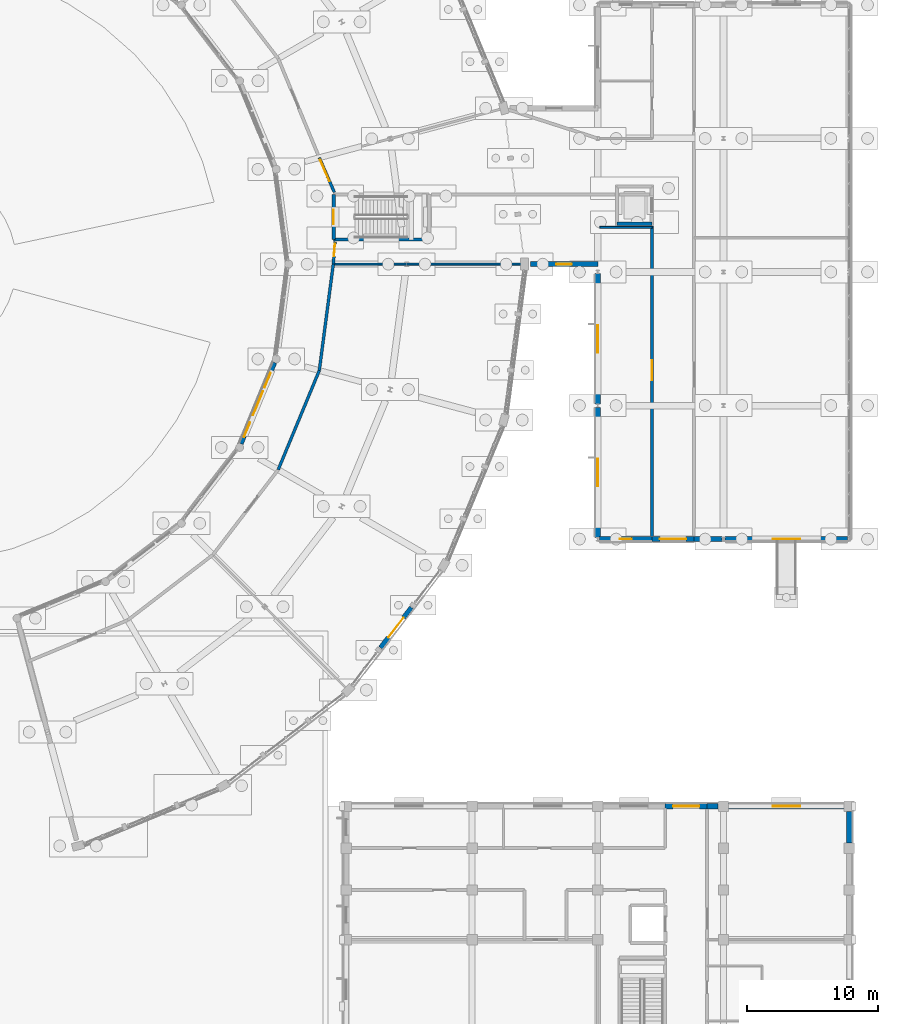
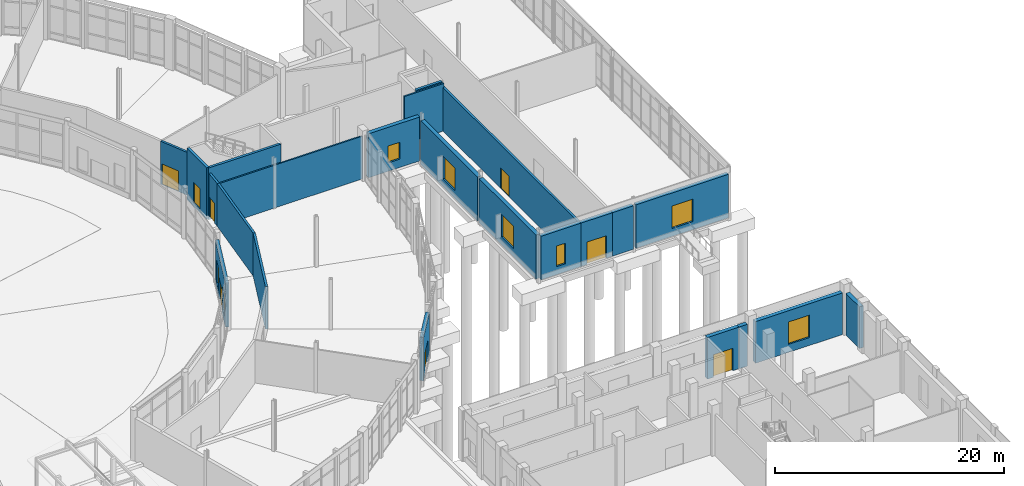
# One storey, part 112 of 137: 23 walls, 8 doors, 8 windows, 16 openings.
"""IFC4 building model written with IfcOpenShell, lengths in metres."""

from ifc_helpers import new_model, si_unit, direction, frame, frame_2d, origin, place, context, subcontext, project, spatial, rectangle, extrude, material, layer, layer_set, type_object, element, fill, save


model = new_model("IFC4")

# Units and contexts
model_context = context("Model", 3, precision=1e-05, world=origin(), true_north=direction((0.0, 1.0)))
body_context = subcontext(model_context, "Body", "Model", "MODEL_VIEW")
ifc_project = project(units=[si_unit("LENGTHUNIT", "METRE"), si_unit("AREAUNIT", "SQUARE_METRE"), si_unit("VOLUMEUNIT", "CUBIC_METRE"), si_unit("PLANEANGLEUNIT", "RADIAN"), si_unit("MASSUNIT", "GRAM", prefix="KILO")], contexts=[model_context])

# Site, building, storey
site_placement = place(None, origin())
site = spatial("IfcSite", under=ifc_project, at=site_placement, CompositionType="ELEMENT")
building_placement = place(site_placement, origin())
building = spatial("IfcBuilding", under=site, at=building_placement, Name="Vondelvale Polytechnic", CompositionType="ELEMENT")
storey_placement = place(building_placement, origin())
storey = spatial("IfcBuildingStorey", under=building, at=storey_placement, Name="L00", CompositionType="ELEMENT", Elevation=0.0)

# Wall, openings, door, windows
ifc_material_1 = material(Name="Amsterdam School iron-spot clinker clay brickwork", Category="masonry")
ifc_layer_1 = layer(ifc_material_1, 0.320068359375)
ifc_layer_set_1 = layer_set([ifc_layer_1], Name="WL-BRICK-320")
wall_type_1 = type_object("IfcWallType", Name="WL-BRICK-320", PredefinedType="SOLIDWALL", material=ifc_layer_set_1)
wall_1_placement = place(storey_placement, frame((126.364013671875, 58.278076171875, 0.0), z_axis=(0.0, 0.0, 1.0), x_axis=(0.382652897157, 0.923892180018, 0.0)))
wall_1 = element("IfcWall", 1, at=wall_1_placement, inside=storey, type_object=wall_type_1, Name="L00 exterior masonry facade wall", PredefinedType="SOLIDWALL", context=body_context, shape_type="SweptSolid", body=[
    extrude(rectangle(XDim=6.70751953125, YDim=0.320068359375, at=frame_2d((3.353759765625, 0.0))), origin(), (0.0, 0.0, 1.0), 4.694091796875),
])
opening_1_placement = place(wall_1_placement, frame((2.353759765625, 0.0, 0.0)))
opening_1 = element("IfcOpeningElement", 2, at=opening_1_placement, cuts=wall_1, Name="Opening ED-036", PredefinedType="OPENING", context=body_context, shape_type="SweptSolid", body=[
    extrude(rectangle(XDim=2.0, YDim=2.39990234375, at=frame_2d((1.0, 1.199951171875))), frame((0.0, 0.169921875, 0.0), z_axis=(0.0, -1.0, 0.0), x_axis=(1.0, 0.0, 0.0)), (0.0, 0.0, 1.0), 0.340087890625),
])
opening_2_placement = place(wall_1_placement, frame((0.550048828125, 0.0, 0.699951171875)))
opening_2 = element("IfcOpeningElement", 3, at=opening_2_placement, cuts=wall_1, Name="Opening WN-0458", PredefinedType="OPENING", context=body_context, shape_type="SweptSolid", body=[
    extrude(rectangle(XDim=1.199951171875, YDim=2.39990234375, at=frame_2d((0.60009765625, 1.199951171875))), frame((0.0, 0.169921875, 0.0), z_axis=(0.0, -1.0, 0.0), x_axis=(1.0, 0.0, 0.0)), (0.0, 0.0, 1.0), 0.340087890625),
])
opening_3_placement = place(wall_1_placement, frame((4.64990234375, 0.0, 0.699951171875)))
opening_3 = element("IfcOpeningElement", 4, at=opening_3_placement, cuts=wall_1, Name="Opening WN-0459", PredefinedType="OPENING", context=body_context, shape_type="SweptSolid", body=[
    extrude(rectangle(XDim=1.199951171875, YDim=2.39990234375, at=frame_2d((0.60009765625, 1.199951171875))), frame((0.0, 0.169921875, 0.0), z_axis=(0.0, -1.0, 0.0), x_axis=(1.0, 0.0, 0.0)), (0.0, 0.0, 1.0), 0.340087890625),
])
ifc_material_2 = material(Name="Anodised extruded aluminium 6063-T6", Category="aluminium")
door_type_1 = type_object("IfcDoorType", Name="DR-EXT-2000x2400", OperationType="DOUBLE_DOOR_SINGLE_SWING", PredefinedType="DOOR", material=ifc_material_2)
door_1_placement = place(opening_1_placement, origin())
door_1 = element("IfcDoor", 5, at=door_1_placement, inside=storey, type_object=door_type_1, Name="L00 exterior entrance/exit door ED-036", OperationType="DOUBLE_DOOR_SINGLE_SWING", OverallHeight=2.39990234375, OverallWidth=2.0, PredefinedType="DOOR", context=body_context, shape_type="SweptSolid", body=[
    extrude(rectangle(XDim=2.0, YDim=2.39990234375, at=frame_2d((1.0, 1.199951171875))), frame((0.0, 0.02490234375, 0.0), z_axis=(0.0, -1.0, 0.0), x_axis=(1.0, 0.0, 0.0)), (0.0, 0.0, 1.0), 0.050048828125),
])
fill(opening_1, door_1)
ifc_material_3 = material(Name="Double-glazed low-E insulated architectural glass", Category="glass")
window_type_1 = type_object("IfcWindowType", Name="WN-ARCH-1200x2400", PartitioningType="SINGLE_PANEL", PredefinedType="WINDOW", material=ifc_material_3)
window_1_placement = place(opening_2_placement, origin())
window_1 = element("IfcWindow", 6, at=window_1_placement, inside=storey, type_object=window_type_1, Name="L00 double-glazed architectural window WN-0458", OverallHeight=2.39990234375, OverallWidth=1.199951171875, PartitioningType="SINGLE_PANEL", PredefinedType="WINDOW", context=body_context, shape_type="SweptSolid", body=[
    extrude(rectangle(XDim=1.199951171875, YDim=2.39990234375, at=frame_2d((0.60009765625, 1.199951171875))), frame((0.0, 0.030029296875, 0.0), z_axis=(0.0, -1.0, 0.0), x_axis=(1.0, 0.0, 0.0)), (0.0, 0.0, 1.0), 0.06005859375),
])
fill(opening_2, window_1)
window_2_placement = place(opening_3_placement, origin())
window_2 = element("IfcWindow", 7, at=window_2_placement, inside=storey, type_object=window_type_1, Name="L00 double-glazed architectural window WN-0459", OverallHeight=2.39990234375, OverallWidth=1.199951171875, PartitioningType="SINGLE_PANEL", PredefinedType="WINDOW", context=body_context, shape_type="SweptSolid", body=[
    extrude(rectangle(XDim=1.199951171875, YDim=2.39990234375, at=frame_2d((0.60009765625, 1.199951171875))), frame((0.0, 0.030029296875, 0.0), z_axis=(0.0, -1.0, 0.0), x_axis=(1.0, 0.0, 0.0)), (0.0, 0.0, 1.0), 0.06005859375),
])
fill(opening_3, window_2)

# Wall, opening, door
ifc_layer_2 = layer(ifc_material_1, 0.35009765625)
ifc_layer_set_2 = layer_set([ifc_layer_2], Name="WL-BRICK-350")
wall_type_2 = type_object("IfcWallType", Name="WL-BRICK-350", PredefinedType="SOLIDWALL", material=ifc_layer_set_2)
wall_2_placement = place(storey_placement, frame((139.3603515625, 45.772216796875, 0.0), z_axis=(0.0, 0.0, 1.0), x_axis=(-0.608722784878, -0.79338299148, 0.0)))
wall_2 = element("IfcWall", 8, at=wall_2_placement, inside=storey, type_object=wall_type_2, Name="L00 exterior masonry facade wall", PredefinedType="SOLIDWALL", context=body_context, shape_type="SweptSolid", body=[
    extrude(rectangle(XDim=3.87109375, YDim=0.35009765625, at=frame_2d((1.935546875, 0.0))), origin(), (0.0, 0.0, 1.0), 4.64306640625),
])
opening_4_placement = place(wall_2_placement, frame((0.985595703125, 0.0, 0.0)))
opening_4 = element("IfcOpeningElement", 9, at=opening_4_placement, cuts=wall_2, Name="Opening ED-035", PredefinedType="OPENING", context=body_context, shape_type="SweptSolid", body=[
    extrude(rectangle(XDim=1.89990234375, YDim=2.35009765625, at=frame_2d((0.949951171875, 1.175048828125))), frame((0.0, 0.18505859375, 0.0), z_axis=(0.0, -1.0, 0.0), x_axis=(1.0, 0.0, 0.0)), (0.0, 0.0, 1.0), 0.3701171875),
])
door_type_2 = type_object("IfcDoorType", Name="DR-EXT-1900x2350", OperationType="DOUBLE_DOOR_SINGLE_SWING", PredefinedType="DOOR", material=ifc_material_2)
door_2_placement = place(opening_4_placement, origin())
door_2 = element("IfcDoor", 10, at=door_2_placement, inside=storey, type_object=door_type_2, Name="L00 exterior entrance/exit door ED-035", OperationType="DOUBLE_DOOR_SINGLE_SWING", OverallHeight=2.35009765625, OverallWidth=1.89990234375, PredefinedType="DOOR", context=body_context, shape_type="SweptSolid", body=[
    extrude(rectangle(XDim=1.89990234375, YDim=2.35009765625, at=frame_2d((0.949951171875, 1.175048828125))), frame((0.0, 0.02490234375, 0.0), z_axis=(0.0, -1.0, 0.0), x_axis=(1.0, 0.0, 0.0)), (0.0, 0.0, 1.0), 0.050048828125),
])
fill(opening_4, door_2)

# Wall
ifc_material_4 = material(Name="Concrete N40 (f'c = 40 MPa)", Category="concrete")
ifc_layer_3 = layer(ifc_material_4, 0.25)
ifc_layer_set_3 = layer_set([ifc_layer_3], Name="WL-CORE-250")
wall_type_3 = type_object("IfcWallType", Name="WL-CORE-250", PredefinedType="SOLIDWALL", material=ifc_layer_set_3)
wall_3_placement = place(storey_placement, frame((133.425048828125, 73.875, -0.39990234375), z_axis=(0.0, 0.0, 1.0), x_axis=(1.0, 0.0, 0.0)))
element("IfcWall", 11, at=wall_3_placement, inside=storey, type_object=wall_type_3, Name="L00 ST-08 reinforced concrete stair core wall", PredefinedType="SOLIDWALL", context=body_context, shape_type="SweptSolid", body=[
    extrude(rectangle(XDim=7.300048828125, YDim=0.25, at=frame_2d((3.64990234375, 0.0))), origin(), (0.0, 0.0, 1.0), 5.52001953125),
])

# Wall, opening, door
wall_4_placement = place(storey_placement, frame((133.425048828125, 73.875, -0.39990234375), z_axis=(0.0, 0.0, 1.0), x_axis=(0.0, 1.0, 0.0)))
wall_4 = element("IfcWall", 12, at=wall_4_placement, inside=storey, type_object=wall_type_3, Name="L00 ST-08 reinforced concrete stair core wall", PredefinedType="SOLIDWALL", context=body_context, shape_type="SweptSolid", body=[
    extrude(rectangle(XDim=3.449951171875, YDim=0.25, at=frame_2d((1.72509765625, 0.0))), origin(), (0.0, 0.0, 1.0), 5.52001953125),
])
opening_5_placement = place(wall_4_placement, frame((1.175048828125, 0.0, 0.39990234375)))
opening_5 = element("IfcOpeningElement", 13, at=opening_5_placement, cuts=wall_4, Name="Opening SD-045", PredefinedType="OPENING", context=body_context, shape_type="SweptSolid", body=[
    extrude(rectangle(XDim=1.10009765625, YDim=2.199951171875, at=frame_2d((0.550048828125, 1.10009765625))), frame((0.0, 0.135009765625, 0.0), z_axis=(0.0, -1.0, 0.0), x_axis=(1.0, 0.0, 0.0)), (0.0, 0.0, 1.0), 0.27001953125),
])
ifc_material_5 = material(Name="Brushed architectural stainless and zinc-coated metal")
door_type_3 = type_object("IfcDoorType", Name="DR-STAIR-1100x2200", OperationType="SINGLE_SWING_LEFT", PredefinedType="DOOR", material=ifc_material_5)
door_3_placement = place(opening_5_placement, origin())
door_3 = element("IfcDoor", 14, at=door_3_placement, inside=storey, type_object=door_type_3, Name="L00 ST-08 fire-isolated stair door", OperationType="SINGLE_SWING_LEFT", OverallHeight=2.199951171875, OverallWidth=1.10009765625, PredefinedType="DOOR", context=body_context, shape_type="SweptSolid", body=[
    extrude(rectangle(XDim=1.10009765625, YDim=2.199951171875, at=frame_2d((0.550048828125, 1.10009765625))), frame((0.0, 0.02490234375, 0.0), z_axis=(0.0, -1.0, 0.0), x_axis=(1.0, 0.0, 0.0)), (0.0, 0.0, 1.0), 0.050048828125),
])
fill(opening_5, door_3)

ifc_material_6 = material(Name="Fire-rated double-layer plasterboard stud partition")
ifc_layer_4 = layer(ifc_material_6, 0.219970703125)
ifc_layer_set_4 = layer_set([ifc_layer_4], Name="WL-CORR-220")
wall_type_4 = type_object("IfcWallType", Name="WL-CORR-220", PredefinedType="PARTITIONING", material=ifc_layer_set_4)
wall_5_placement = place(storey_placement, frame((133.39990234375, 72.0, 0.0), z_axis=(0.0, 0.0, 1.0), x_axis=(0.07984138391, 0.996807580938, 0.0)))
wall_5 = element("IfcWall", 15, at=wall_5_placement, inside=storey, type_object=wall_type_4, Name="L00 interior acoustic partition", PredefinedType="PARTITIONING", context=body_context, shape_type="SweptSolid", body=[
    extrude(rectangle(XDim=1.71533203125, YDim=0.219970703125, at=frame_2d((0.857666015625, 0.0))), origin(), (0.0, 0.0, 1.0), 4.56689453125),
])
opening_6_placement = place(wall_5_placement, frame((0.60546875, 0.0, 0.0)))
opening_6 = element("IfcOpeningElement", 16, at=opening_6_placement, cuts=wall_5, Name="Opening ID-0280", PredefinedType="OPENING", context=body_context, shape_type="SweptSolid", body=[
    extrude(rectangle(XDim=0.949951171875, YDim=2.10009765625, at=frame_2d((0.47509765625, 1.050048828125))), frame((0.0, 0.119873046875, 0.0), z_axis=(0.0, -1.0, 0.0), x_axis=(1.0, 0.0, 0.0)), (0.0, 0.0, 1.0), 0.239990234375),
])
ifc_material_7 = material(Name="Fire-rated solid Tasmanian oak joinery")
door_type_4 = type_object("IfcDoorType", Name="DR-INT-0950x2100", OperationType="SINGLE_SWING_LEFT", PredefinedType="DOOR", material=ifc_material_7)
door_4_placement = place(opening_6_placement, origin())
door_4 = element("IfcDoor", 17, at=door_4_placement, inside=storey, type_object=door_type_4, Name="L00 interior room door ID-0280", OperationType="SINGLE_SWING_RIGHT", OverallHeight=2.10009765625, OverallWidth=0.949951171875, PredefinedType="DOOR", context=body_context, shape_type="SweptSolid", body=[
    extrude(rectangle(XDim=0.949951171875, YDim=2.10009765625, at=frame_2d((0.47509765625, 1.050048828125))), frame((0.0, 0.02490234375, 0.0), z_axis=(0.0, -1.0, 0.0), x_axis=(1.0, 0.0, 0.0)), (0.0, 0.0, 1.0), 0.050048828125),
])
fill(opening_6, door_4)

wall_6_placement = place(storey_placement, frame((133.478271484375, 77.489990234375, 0.0), z_axis=(0.0, 0.0, 1.0), x_axis=(-0.399219580964, 0.916855346374, 0.0)))
wall_6 = element("IfcWall", 18, at=wall_6_placement, inside=storey, type_object=wall_type_4, Name="L00 interior acoustic partition", PredefinedType="PARTITIONING", context=body_context, shape_type="SweptSolid", body=[
    extrude(rectangle(XDim=2.8759765625, YDim=0.219970703125, at=frame_2d((1.43798828125, 0.0))), origin(), (0.0, 0.0, 1.0), 4.56689453125),
])
opening_7_placement = place(wall_6_placement, frame((0.916015625, 0.0, 0.0)))
opening_7 = element("IfcOpeningElement", 19, at=opening_7_placement, cuts=wall_6, Name="Opening ID-0281", PredefinedType="OPENING", context=body_context, shape_type="SweptSolid", body=[
    extrude(rectangle(XDim=1.800048828125, YDim=2.199951171875, at=frame_2d((0.89990234375, 1.10009765625))), frame((0.0, 0.119873046875, 0.0), z_axis=(0.0, -1.0, 0.0), x_axis=(1.0, 0.0, 0.0)), (0.0, 0.0, 1.0), 0.239990234375),
])
ifc_material_8 = material(Name="Engineered Tasmanian oak studio and bridge joinery")
door_type_5 = type_object("IfcDoorType", Name="DR-COR-1800x2200", OperationType="DOUBLE_DOOR_SINGLE_SWING", PredefinedType="DOOR", material=ifc_material_8)
door_5_placement = place(opening_7_placement, origin())
door_5 = element("IfcDoor", 20, at=door_5_placement, inside=storey, type_object=door_type_5, Name="L00 interior room door ID-0281", OperationType="DOUBLE_DOOR_SINGLE_SWING", OverallHeight=2.199951171875, OverallWidth=1.800048828125, PredefinedType="DOOR", context=body_context, shape_type="SweptSolid", body=[
    extrude(rectangle(XDim=1.800048828125, YDim=2.199951171875, at=frame_2d((0.89990234375, 1.10009765625))), frame((0.0, 0.02490234375, 0.0), z_axis=(0.0, -1.0, 0.0), x_axis=(1.0, 0.0, 0.0)), (0.0, 0.0, 1.0), 0.050048828125),
])
fill(opening_7, door_5)

wall_7_placement = place(storey_placement, frame((157.75, 51.14990234375, 0.0), z_axis=(0.0, 0.0, 1.0), x_axis=(0.0, 1.0, 0.0)))
wall_7 = element("IfcWall", 21, at=wall_7_placement, inside=storey, type_object=wall_type_4, Name="L00 interior acoustic partition", PredefinedType="PARTITIONING", context=body_context, shape_type="SweptSolid", body=[
    extrude(rectangle(XDim=23.760009765625, YDim=0.219970703125, at=frame_2d((11.8798828125, 0.0))), origin(), (0.0, 0.0, 1.0), 4.639892578125),
])
opening_8_placement = place(wall_7_placement, frame((12.0, 0.0, 0.0)))
opening_8 = element("IfcOpeningElement", 22, at=opening_8_placement, cuts=wall_7, Name="Opening ID-0284", PredefinedType="OPENING", context=body_context, shape_type="SweptSolid", body=[
    extrude(rectangle(XDim=1.5, YDim=2.199951171875, at=frame_2d((0.75, 1.10009765625))), frame((0.0, 0.119873046875, 0.0), z_axis=(0.0, -1.0, 0.0), x_axis=(1.0, 0.0, 0.0)), (0.0, 0.0, 1.0), 0.239990234375),
])
door_type_6 = type_object("IfcDoorType", Name="DR-LAB-1500x2200", OperationType="DOUBLE_DOOR_SINGLE_SWING", PredefinedType="DOOR", material=ifc_material_7)
door_6_placement = place(opening_8_placement, origin())
door_6 = element("IfcDoor", 23, at=door_6_placement, inside=storey, type_object=door_type_6, Name="L00 interior room door ID-0284", OperationType="DOUBLE_DOOR_SINGLE_SWING", OverallHeight=2.199951171875, OverallWidth=1.5, PredefinedType="DOOR", context=body_context, shape_type="SweptSolid", body=[
    extrude(rectangle(XDim=1.5, YDim=2.199951171875, at=frame_2d((0.75, 1.10009765625))), frame((0.0, 0.02490234375, 0.0), z_axis=(0.0, -1.0, 0.0), x_axis=(1.0, 0.0, 0.0)), (0.0, 0.0, 1.0), 0.050048828125),
])
fill(opening_8, door_6)

# Walls
for number, where, z_axis, x_axis, name in (
    (24, (129.193115234375, 56.300048828125, 0.0), (0.0, 0.0, 1.0), (0.382696385238, 0.923874167149, 0.0), "L00 interior acoustic partition"),
    (25, (132.330078125, 63.873046875, 0.0), (0.0, 0.0, 1.0), (0.130513066404, 0.991446589332, 0.0), "L00 interior acoustic partition"),
):
    element("IfcWall", number, at=place(storey_placement, frame(where, z_axis=z_axis, x_axis=x_axis)), inside=storey, type_object=wall_type_4, Name=name, PredefinedType="PARTITIONING", context=body_context, shape_type="SweptSolid", body=[
        extrude(rectangle(XDim=8.197021484375, YDim=0.219970703125, at=frame_2d((4.0986328125, 0.0))), origin(), (0.0, 0.0, 1.0), 4.56689453125),
    ])
ifc_layer_5 = layer(ifc_material_6, 0.14990234375)
ifc_layer_set_5 = layer_set([ifc_layer_5], Name="WL-INT-150")
wall_type_5 = type_object("IfcWallType", Name="WL-INT-150", PredefinedType="PARTITIONING", material=ifc_layer_set_5)
wall_8_placement = place(storey_placement, frame((133.39990234375, 72.0, 0.0), z_axis=(0.0, 0.0, 1.0), x_axis=(1.0, 0.0, 0.0)))
element("IfcWall", 26, at=wall_8_placement, inside=storey, type_object=wall_type_5, Name="L00 interior acoustic partition", PredefinedType="PARTITIONING", context=body_context, shape_type="SweptSolid", body=[
    extrude(rectangle(XDim=14.47998046875, YDim=0.14990234375, at=frame_2d((7.239990234375, 0.0))), origin(), (0.0, 0.0, 1.0), 4.56689453125),
])
wall_9_placement = place(storey_placement, frame((153.75, 74.800048828125, 0.0), z_axis=(0.0, 0.0, 1.0), x_axis=(1.0, 0.0, 0.0)))
element("IfcWall", 27, at=wall_9_placement, inside=storey, type_object=wall_type_5, Name="L00 interior acoustic partition", PredefinedType="PARTITIONING", context=body_context, shape_type="SweptSolid", body=[
    extrude(rectangle(XDim=4.0, YDim=0.14990234375, at=frame_2d((2.0, 0.0))), origin(), (0.0, 0.0, 1.0), 5.050048828125),
])
ifc_material_9 = material(Name="Malmsbury bluestone ashlar stone masonry", Category="masonry")
ifc_layer_6 = layer(ifc_material_9, 0.39990234375)
ifc_layer_set_6 = layer_set([ifc_layer_6], Name="WL-PLINTH-400")
wall_type_6 = type_object("IfcWallType", Name="WL-PLINTH-400", PredefinedType="SOLIDWALL", material=ifc_layer_set_6)
wall_10_placement = place(storey_placement, frame((172.800048828125, 30.198974609375, 0.0), z_axis=(0.0, 0.0, 1.0), x_axis=(0.0, -1.0, 0.0)))
element("IfcWall", 28, at=wall_10_placement, inside=storey, type_object=wall_type_6, Name="L00 exterior masonry facade wall", PredefinedType="SOLIDWALL", context=body_context, shape_type="SweptSolid", body=[
    extrude(rectangle(XDim=2.39794921875, YDim=0.39990234375, at=frame_2d((1.198974609375, 0.0))), origin(), (0.0, 0.0, 1.0), 4.449951171875),
])

# Wall, opening, door
wall_11_placement = place(storey_placement, frame((158.75, 30.60009765625, 0.0), z_axis=(0.0, 0.0, 1.0), x_axis=(1.0, 0.0, 0.0)))
wall_11 = element("IfcWall", 29, at=wall_11_placement, inside=storey, type_object=wall_type_6, Name="L00 exterior masonry facade wall", PredefinedType="SOLIDWALL", context=body_context, shape_type="SweptSolid", body=[
    extrude(rectangle(XDim=3.199951171875, YDim=0.39990234375, at=frame_2d((1.60009765625, 0.0))), origin(), (0.0, 0.0, 1.0), 4.449951171875),
])
opening_9_placement = place(wall_11_placement, frame((0.60009765625, 0.0, 0.0)))
opening_9 = element("IfcOpeningElement", 30, at=opening_9_placement, cuts=wall_11, Name="Opening ED-021", PredefinedType="OPENING", context=body_context, shape_type="SweptSolid", body=[
    extrude(rectangle(XDim=2.0, YDim=2.39990234375, at=frame_2d((1.0, 1.199951171875))), frame((0.0, 0.2099609375, 0.0), z_axis=(0.0, -1.0, 0.0), x_axis=(1.0, 0.0, 0.0)), (0.0, 0.0, 1.0), 0.419921875),
])
door_7_placement = place(opening_9_placement, origin())
door_7 = element("IfcDoor", 31, at=door_7_placement, inside=storey, type_object=door_type_1, Name="L00 exterior entrance/exit door ED-021", OperationType="DOUBLE_DOOR_SINGLE_SWING", OverallHeight=2.39990234375, OverallWidth=2.0, PredefinedType="DOOR", context=body_context, shape_type="SweptSolid", body=[
    extrude(rectangle(XDim=2.0, YDim=2.39990234375, at=frame_2d((1.0, 1.199951171875))), frame((0.0, 0.02490234375, 0.0), z_axis=(0.0, -1.0, 0.0), x_axis=(1.0, 0.0, 0.0)), (0.0, 0.0, 1.0), 0.050048828125),
])
fill(opening_9, door_7)

# Wall
wall_12_placement = place(storey_placement, frame((161.949951171875, 30.60009765625, 0.0), z_axis=(0.0, 0.0, 1.0), x_axis=(1.0, 0.0, 0.0)))
element("IfcWall", 32, at=wall_12_placement, inside=storey, type_object=wall_type_6, Name="L00 exterior masonry facade wall", PredefinedType="SOLIDWALL", context=body_context, shape_type="SweptSolid", body=[
    extrude(rectangle(XDim=0.84912109375, YDim=0.39990234375, at=frame_2d((0.424560546875, 0.0))), origin(), (0.0, 0.0, 1.0), 4.449951171875),
])

# Wall, opening, window
wall_13_placement = place(storey_placement, frame((163.60107421875, 30.60009765625, 0.0), z_axis=(0.0, 0.0, 1.0), x_axis=(1.0, 0.0, 0.0)))
wall_13 = element("IfcWall", 33, at=wall_13_placement, inside=storey, type_object=wall_type_6, Name="L00 exterior masonry facade wall", PredefinedType="SOLIDWALL", context=body_context, shape_type="SweptSolid", body=[
    extrude(rectangle(XDim=8.7978515625, YDim=0.39990234375, at=frame_2d((4.39892578125, 0.0))), origin(), (0.0, 0.0, 1.0), 4.449951171875),
])
opening_10_placement = place(wall_13_placement, frame((3.34912109375, 0.0, 0.85009765625)))
opening_10 = element("IfcOpeningElement", 34, at=opening_10_placement, cuts=wall_13, Name="Opening WN-0346", PredefinedType="OPENING", context=body_context, shape_type="SweptSolid", body=[
    extrude(rectangle(XDim=2.10009765625, YDim=2.39990234375, at=frame_2d((1.050048828125, 1.199951171875))), frame((0.0, 0.2099609375, 0.0), z_axis=(0.0, -1.0, 0.0), x_axis=(1.0, 0.0, 0.0)), (0.0, 0.0, 1.0), 0.419921875),
])
window_type_2 = type_object("IfcWindowType", Name="WN-STUDIO-2100x2400", PartitioningType="SINGLE_PANEL", PredefinedType="WINDOW", material=ifc_material_3)
window_3_placement = place(opening_10_placement, origin())
window_3 = element("IfcWindow", 35, at=window_3_placement, inside=storey, type_object=window_type_2, Name="L00 double-glazed architectural window WN-0346", OverallHeight=2.39990234375, OverallWidth=2.10009765625, PartitioningType="SINGLE_PANEL", PredefinedType="WINDOW", context=body_context, shape_type="SweptSolid", body=[
    extrude(rectangle(XDim=2.10009765625, YDim=2.39990234375, at=frame_2d((1.050048828125, 1.199951171875))), frame((0.0, 0.030029296875, 0.0), z_axis=(0.0, -1.0, 0.0), x_axis=(1.0, 0.0, 0.0)), (0.0, 0.0, 1.0), 0.06005859375),
])
fill(opening_10, window_3)

wall_14_placement = place(storey_placement, frame((157.75, 51.0, 0.0), z_axis=(0.0, 0.0, 1.0), x_axis=(-1.0, 0.0, 0.0)))
wall_14 = element("IfcWall", 36, at=wall_14_placement, inside=storey, type_object=wall_type_6, Name="L00 exterior masonry facade wall", PredefinedType="SOLIDWALL", context=body_context, shape_type="SweptSolid", body=[
    extrude(rectangle(XDim=4.01904296875, YDim=0.39990234375, at=frame_2d((2.009521484375, 0.0))), origin(), (0.0, 0.0, 1.0), 4.639892578125),
])
opening_11_placement = place(wall_14_placement, frame((1.5595703125, 0.0, 0.85009765625)))
opening_11 = element("IfcOpeningElement", 37, at=opening_11_placement, cuts=wall_14, Name="Opening WN-0462", PredefinedType="OPENING", context=body_context, shape_type="SweptSolid", body=[
    extrude(rectangle(XDim=0.89990234375, YDim=2.199951171875, at=frame_2d((0.449951171875, 1.10009765625))), frame((0.0, 0.2099609375, 0.0), z_axis=(0.0, -1.0, 0.0), x_axis=(1.0, 0.0, 0.0)), (0.0, 0.0, 1.0), 0.419921875),
])
window_type_3 = type_object("IfcWindowType", Name="WN-TUR-0900x2200", PartitioningType="SINGLE_PANEL", PredefinedType="WINDOW", material=ifc_material_3)
window_4_placement = place(opening_11_placement, origin())
window_4 = element("IfcWindow", 38, at=window_4_placement, inside=storey, type_object=window_type_3, Name="L00 double-glazed architectural window WN-0462", OverallHeight=2.199951171875, OverallWidth=0.89990234375, PartitioningType="SINGLE_PANEL", PredefinedType="WINDOW", context=body_context, shape_type="SweptSolid", body=[
    extrude(rectangle(XDim=0.89990234375, YDim=2.199951171875, at=frame_2d((0.449951171875, 1.10009765625))), frame((0.0, 0.030029296875, 0.0), z_axis=(0.0, -1.0, 0.0), x_axis=(1.0, 0.0, 0.0)), (0.0, 0.0, 1.0), 0.06005859375),
])
fill(opening_11, window_4)

# Wall, opening, door
wall_15_placement = place(storey_placement, frame((160.949951171875, 51.0, 0.0), z_axis=(0.0, 0.0, 1.0), x_axis=(-1.0, 0.0, 0.0)))
wall_15 = element("IfcWall", 39, at=wall_15_placement, inside=storey, type_object=wall_type_6, Name="L00 exterior masonry facade wall", PredefinedType="SOLIDWALL", context=body_context, shape_type="SweptSolid", body=[
    extrude(rectangle(XDim=3.199951171875, YDim=0.39990234375, at=frame_2d((1.60009765625, 0.0))), origin(), (0.0, 0.0, 1.0), 4.639892578125),
])
opening_12_placement = place(wall_15_placement, frame((0.60009765625, 0.0, 0.0)))
opening_12 = element("IfcOpeningElement", 40, at=opening_12_placement, cuts=wall_15, Name="Opening ED-038", PredefinedType="OPENING", context=body_context, shape_type="SweptSolid", body=[
    extrude(rectangle(XDim=2.0, YDim=2.39990234375, at=frame_2d((1.0, 1.199951171875))), frame((0.0, 0.2099609375, 0.0), z_axis=(0.0, -1.0, 0.0), x_axis=(1.0, 0.0, 0.0)), (0.0, 0.0, 1.0), 0.419921875),
])
door_8_placement = place(opening_12_placement, origin())
door_8 = element("IfcDoor", 41, at=door_8_placement, inside=storey, type_object=door_type_1, Name="L00 exterior entrance/exit door ED-038", OperationType="DOUBLE_DOOR_SINGLE_SWING", OverallHeight=2.39990234375, OverallWidth=2.0, PredefinedType="DOOR", context=body_context, shape_type="SweptSolid", body=[
    extrude(rectangle(XDim=2.0, YDim=2.39990234375, at=frame_2d((1.0, 1.199951171875))), frame((0.0, 0.02490234375, 0.0), z_axis=(0.0, -1.0, 0.0), x_axis=(1.0, 0.0, 0.0)), (0.0, 0.0, 1.0), 0.050048828125),
])
fill(opening_12, door_8)

# Wall, opening, window
wall_16_placement = place(storey_placement, frame((172.6689453125, 51.0, 0.0), z_axis=(0.0, 0.0, 1.0), x_axis=(-1.0, 0.0, 0.0)))
wall_16 = element("IfcWall", 42, at=wall_16_placement, inside=storey, type_object=wall_type_6, Name="L00 exterior masonry facade wall", PredefinedType="SOLIDWALL", context=body_context, shape_type="SweptSolid", body=[
    extrude(rectangle(XDim=9.337890625, YDim=0.39990234375, at=frame_2d((4.6689453125, 0.0))), origin(), (0.0, 0.0, 1.0), 4.639892578125),
])
opening_13_placement = place(wall_16_placement, frame((3.618896484375, 0.0, 0.85009765625)))
opening_13 = element("IfcOpeningElement", 43, at=opening_13_placement, cuts=wall_16, Name="Opening WN-0463", PredefinedType="OPENING", context=body_context, shape_type="SweptSolid", body=[
    extrude(rectangle(XDim=2.10009765625, YDim=2.39990234375, at=frame_2d((1.050048828125, 1.199951171875))), frame((0.0, 0.2099609375, 0.0), z_axis=(0.0, -1.0, 0.0), x_axis=(1.0, 0.0, 0.0)), (0.0, 0.0, 1.0), 0.419921875),
])
window_5_placement = place(opening_13_placement, origin())
window_5 = element("IfcWindow", 44, at=window_5_placement, inside=storey, type_object=window_type_2, Name="L00 double-glazed architectural window WN-0463", OverallHeight=2.39990234375, OverallWidth=2.10009765625, PartitioningType="SINGLE_PANEL", PredefinedType="WINDOW", context=body_context, shape_type="SweptSolid", body=[
    extrude(rectangle(XDim=2.10009765625, YDim=2.39990234375, at=frame_2d((1.050048828125, 1.199951171875))), frame((0.0, 0.030029296875, 0.0), z_axis=(0.0, -1.0, 0.0), x_axis=(1.0, 0.0, 0.0)), (0.0, 0.0, 1.0), 0.06005859375),
])
fill(opening_13, window_5)

# Wall
wall_17_placement = place(storey_placement, frame((163.069091796875, 51.0, 0.0), z_axis=(0.0, 0.0, 1.0), x_axis=(-1.0, 0.0, 0.0)))
element("IfcWall", 45, at=wall_17_placement, inside=storey, type_object=wall_type_6, Name="L00 exterior masonry facade wall", PredefinedType="SOLIDWALL", context=body_context, shape_type="SweptSolid", body=[
    extrude(rectangle(XDim=2.119140625, YDim=0.39990234375, at=frame_2d((1.0595703125, 0.0))), origin(), (0.0, 0.0, 1.0), 4.639892578125),
])

# Wall, opening, window
wall_18_placement = place(storey_placement, frame((153.60009765625, 51.131103515625, 0.0), z_axis=(0.0, 0.0, 1.0), x_axis=(0.0, 1.0, 0.0)))
wall_18 = element("IfcWall", 46, at=wall_18_placement, inside=storey, type_object=wall_type_6, Name="L00 exterior masonry facade wall", PredefinedType="SOLIDWALL", context=body_context, shape_type="SweptSolid", body=[
    extrude(rectangle(XDim=9.93798828125, YDim=0.39990234375, at=frame_2d((4.968994140625, 0.0))), origin(), (0.0, 0.0, 1.0), 4.694091796875),
])
opening_14_placement = place(wall_18_placement, frame((3.9189453125, 0.0, 0.85009765625)))
opening_14 = element("IfcOpeningElement", 47, at=opening_14_placement, cuts=wall_18, Name="Opening WN-0464", PredefinedType="OPENING", context=body_context, shape_type="SweptSolid", body=[
    extrude(rectangle(XDim=2.10009765625, YDim=2.39990234375, at=frame_2d((1.050048828125, 1.199951171875))), frame((0.0, 0.2099609375, 0.0), z_axis=(0.0, -1.0, 0.0), x_axis=(1.0, 0.0, 0.0)), (0.0, 0.0, 1.0), 0.419921875),
])
window_6_placement = place(opening_14_placement, origin())
window_6 = element("IfcWindow", 48, at=window_6_placement, inside=storey, type_object=window_type_2, Name="L00 double-glazed architectural window WN-0464", OverallHeight=2.39990234375, OverallWidth=2.10009765625, PartitioningType="SINGLE_PANEL", PredefinedType="WINDOW", context=body_context, shape_type="SweptSolid", body=[
    extrude(rectangle(XDim=2.10009765625, YDim=2.39990234375, at=frame_2d((1.050048828125, 1.199951171875))), frame((0.0, 0.030029296875, 0.0), z_axis=(0.0, -1.0, 0.0), x_axis=(1.0, 0.0, 0.0)), (0.0, 0.0, 1.0), 0.06005859375),
])
fill(opening_14, window_6)

wall_19_placement = place(storey_placement, frame((153.60009765625, 61.3310546875, 0.0), z_axis=(0.0, 0.0, 1.0), x_axis=(0.0, 1.0, 0.0)))
wall_19 = element("IfcWall", 49, at=wall_19_placement, inside=storey, type_object=wall_type_6, Name="L00 exterior masonry facade wall", PredefinedType="SOLIDWALL", context=body_context, shape_type="SweptSolid", body=[
    extrude(rectangle(XDim=9.93798828125, YDim=0.39990234375, at=frame_2d((4.968994140625, 0.0))), origin(), (0.0, 0.0, 1.0), 4.694091796875),
])
opening_15_placement = place(wall_19_placement, frame((3.9189453125, 0.0, 0.85009765625)))
opening_15 = element("IfcOpeningElement", 50, at=opening_15_placement, cuts=wall_19, Name="Opening WN-0465", PredefinedType="OPENING", context=body_context, shape_type="SweptSolid", body=[
    extrude(rectangle(XDim=2.10009765625, YDim=2.39990234375, at=frame_2d((1.050048828125, 1.199951171875))), frame((0.0, 0.2099609375, 0.0), z_axis=(0.0, -1.0, 0.0), x_axis=(1.0, 0.0, 0.0)), (0.0, 0.0, 1.0), 0.419921875),
])
window_7_placement = place(opening_15_placement, origin())
window_7 = element("IfcWindow", 51, at=window_7_placement, inside=storey, type_object=window_type_2, Name="L00 double-glazed architectural window WN-0465", OverallHeight=2.39990234375, OverallWidth=2.10009765625, PartitioningType="SINGLE_PANEL", PredefinedType="WINDOW", context=body_context, shape_type="SweptSolid", body=[
    extrude(rectangle(XDim=2.10009765625, YDim=2.39990234375, at=frame_2d((1.050048828125, 1.199951171875))), frame((0.0, 0.030029296875, 0.0), z_axis=(0.0, -1.0, 0.0), x_axis=(1.0, 0.0, 0.0)), (0.0, 0.0, 1.0), 0.06005859375),
])
fill(opening_15, window_7)

wall_20_placement = place(storey_placement, frame((153.60009765625, 72.0, 0.0), z_axis=(0.0, 0.0, 1.0), x_axis=(-1.0, 0.0, 0.0)))
wall_20 = element("IfcWall", 52, at=wall_20_placement, inside=storey, type_object=wall_type_6, Name="L00 exterior masonry facade wall", PredefinedType="SOLIDWALL", context=body_context, shape_type="SweptSolid", body=[
    extrude(rectangle(XDim=5.149169921875, YDim=0.39990234375, at=frame_2d((2.57470703125, 0.0))), origin(), (0.0, 0.0, 1.0), 4.694091796875),
])
opening_16_placement = place(wall_20_placement, frame((1.974609375, 0.0, 0.89990234375)))
opening_16 = element("IfcOpeningElement", 53, at=opening_16_placement, cuts=wall_20, Name="Opening WN-0467", PredefinedType="OPENING", context=body_context, shape_type="SweptSolid", body=[
    extrude(rectangle(XDim=1.199951171875, YDim=1.800048828125, at=frame_2d((0.60009765625, 0.89990234375))), frame((0.0, 0.2099609375, 0.0), z_axis=(0.0, -1.0, 0.0), x_axis=(1.0, 0.0, 0.0)), (0.0, 0.0, 1.0), 0.419921875),
])
window_type_4 = type_object("IfcWindowType", Name="WN-OFF-1200x1800", PartitioningType="SINGLE_PANEL", PredefinedType="WINDOW", material=ifc_material_3)
window_8_placement = place(opening_16_placement, origin())
window_8 = element("IfcWindow", 54, at=window_8_placement, inside=storey, type_object=window_type_4, Name="L00 double-glazed architectural window WN-0467", OverallHeight=1.800048828125, OverallWidth=1.199951171875, PartitioningType="SINGLE_PANEL", PredefinedType="WINDOW", context=body_context, shape_type="SweptSolid", body=[
    extrude(rectangle(XDim=1.199951171875, YDim=1.800048828125, at=frame_2d((0.60009765625, 0.89990234375))), frame((0.0, 0.030029296875, 0.0), z_axis=(0.0, -1.0, 0.0), x_axis=(1.0, 0.0, 0.0)), (0.0, 0.0, 1.0), 0.06005859375),
])
fill(opening_16, window_8)

# Wall
ifc_layer_7 = layer(ifc_material_4, 0.25)
ifc_layer_set_7 = layer_set([ifc_layer_7], Name="WL-SHAFT-250")
wall_type_7 = type_object("IfcWallType", Name="WL-SHAFT-250", PredefinedType="SOLIDWALL", material=ifc_layer_set_7)
wall_21_placement = place(storey_placement, frame((155.074951171875, 75.074951171875, -0.25), z_axis=(0.0, 0.0, 1.0), x_axis=(1.0, 0.0, 0.0)))
element("IfcWall", 55, at=wall_21_placement, inside=storey, type_object=wall_type_7, Name="L00 PL-04 lift shaft wall S", PredefinedType="SOLIDWALL", context=body_context, shape_type="SweptSolid", body=[
    extrude(rectangle(XDim=2.650146484375, YDim=0.25, at=frame_2d((1.3251953125, 0.0))), origin(), (0.0, 0.0, 1.0), 5.3701171875),
])

save(model, "model.ifc")
